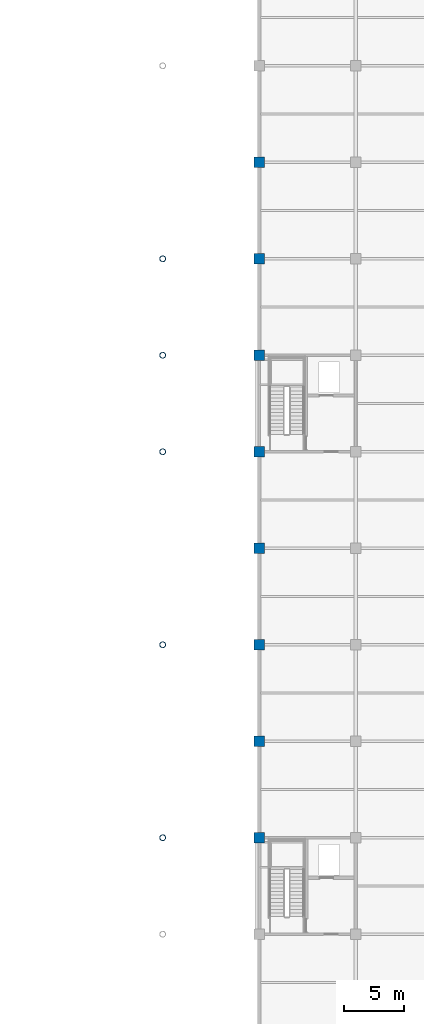
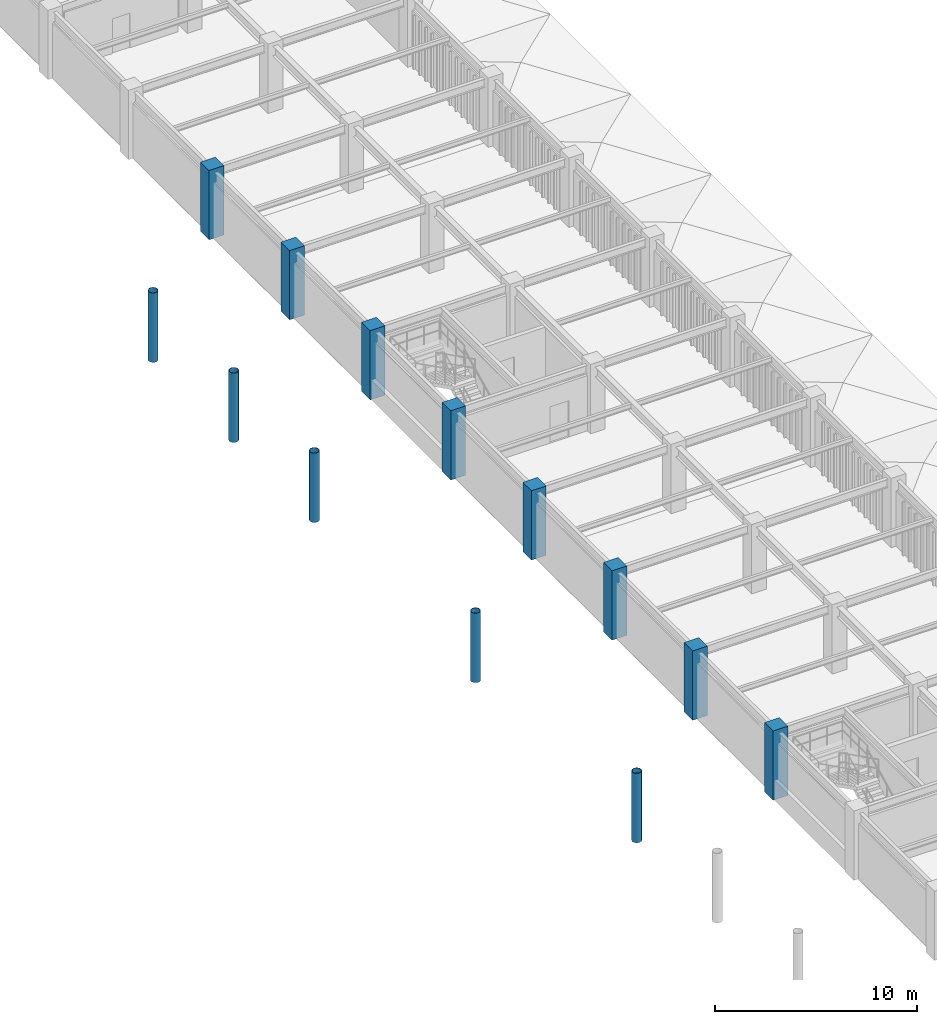
# One storey, part 7 of 78: 13 columns.
"""IFC4 building model written with IfcOpenShell, lengths in metres."""

from ifc_helpers import new_model, si_unit, direction, frame, origin, origin_2d, place, context, subcontext, project, spatial, rectangle, hollow_circle, extrude, material, material_profile, profile_set, type_object, element, save


model = new_model("IFC4")

# Units and contexts
model_context = context("Model", 3, precision=1e-05, world=origin(), true_north=direction((0.0, 1.0)))
body_context = subcontext(model_context, "Body", "Model", "MODEL_VIEW")
ifc_project = project(units=[si_unit("LENGTHUNIT", "METRE"), si_unit("AREAUNIT", "SQUARE_METRE"), si_unit("VOLUMEUNIT", "CUBIC_METRE"), si_unit("PLANEANGLEUNIT", "RADIAN"), si_unit("MASSUNIT", "GRAM", prefix="KILO")], contexts=[model_context])

# Site, building, storey
site_placement = place(None, origin())
site = spatial("IfcSite", under=ifc_project, at=site_placement, CompositionType="ELEMENT")
building_placement = place(site_placement, origin())
building = spatial("IfcBuilding", under=site, at=building_placement, Name="Haebicheon Civic Stadium", CompositionType="ELEMENT")
storey_placement = place(building_placement, frame((0.0, 0.0, 18.60009765625)))
storey = spatial("IfcBuildingStorey", under=building, at=storey_placement, Name="L05", CompositionType="ELEMENT", Elevation=18.60009765625)

# Columns
ifc_material_1 = material(Name="Concrete C40/50", Category="concrete")
ifc_material_profile_1 = material_profile(ifc_material_1, rectangle(XDim=0.85009765625, YDim=0.85009765625, at=origin_2d()), Name="RC-COL-850x850")
ifc_profile_set_1 = profile_set([ifc_material_profile_1], Name="Concrete C40/50")
column_type_1 = type_object("IfcColumnType", Name="COL-RC-850", PredefinedType="COLUMN", material=ifc_profile_set_1)
for number, where, z_axis, x_axis, name in (
    (1, (144.0, 72.0, 0.0), (0.0, 0.0, 1.0), (1.0, 0.0, 0.0), "L05 column 19/K"),
    (2, (144.0, 80.0, 0.0), (0.0, 0.0, 1.0), (1.0, 0.0, 0.0), "L05 column 19/L"),
    (3, (144.0, 88.0, 0.0), (0.0, 0.0, 1.0), (1.0, 0.0, 0.0), "L05 column 19/M"),
    (4, (144.0, 96.0, 0.0), (0.0, 0.0, 1.0), (1.0, 0.0, 0.0), "L05 column 19/N"),
    (5, (144.0, 104.0, 0.0), (0.0, 0.0, 1.0), (1.0, 0.0, 0.0), "L05 column 19/P"),
    (6, (144.0, 112.0, 0.0), (0.0, 0.0, 1.0), (1.0, 0.0, 0.0), "L05 column 19/Q"),
    (7, (144.0, 120.0, 0.0), (0.0, 0.0, 1.0), (1.0, 0.0, 0.0), "L05 column 19/R"),
    (8, (144.0, 128.0, 0.0), (0.0, 0.0, 1.0), (1.0, 0.0, 0.0), "L05 column 19/S"),
):
    element("IfcColumn", number, at=place(storey_placement, frame(where, z_axis=z_axis, x_axis=x_axis)), inside=storey, type_object=column_type_1, material=ifc_profile_set_1, Name=name, PredefinedType="COLUMN", context=body_context, shape_type="SweptSolid", body=[
        extrude(rectangle(XDim=0.85009765625, YDim=0.85009765625, at=origin_2d()), origin(), (0.0, 0.0, 1.0), 4.199951171875),
    ])
ifc_material_2 = material(Name="White painted steel SM490", Category="steel")
ifc_material_profile_2 = material_profile(ifc_material_2, hollow_circle(Radius=0.25390625, WallThickness=0.02490234375, at=origin_2d()), Name="CHS-508.0x25.0")
ifc_profile_set_2 = profile_set([ifc_material_profile_2], Name="White painted steel SM490")
column_type_2 = type_object("IfcColumnType", Name="COL-ST-CHS508", PredefinedType="COLUMN", material=ifc_profile_set_2)
for number, where, z_axis, x_axis, name in (
    (9, (136.0, 72.0, 0.0), (0.0, 0.0, 1.0), (1.0, 0.0, 0.0), "Bowl/canopy support column 136/72 (L05)"),
    (10, (136.0, 88.0, 0.0), (0.0, 0.0, 1.0), (1.0, 0.0, 0.0), "Bowl/canopy support column 136/88 (L05)"),
    (11, (136.0, 104.0, 0.0), (0.0, 0.0, 1.0), (1.0, 0.0, 0.0), "Bowl/canopy support column 136/104 (L05)"),
    (12, (136.0, 112.0, 0.0), (0.0, 0.0, 1.0), (1.0, 0.0, 0.0), "Bowl/canopy support column 136/112 (L05)"),
    (13, (136.0, 120.0, 0.0), (0.0, 0.0, 1.0), (1.0, 0.0, 0.0), "Bowl/canopy support column 136/120 (L05)"),
):
    element("IfcColumn", number, at=place(storey_placement, frame(where, z_axis=z_axis, x_axis=x_axis)), inside=storey, type_object=column_type_2, material=ifc_profile_set_2, Name=name, PredefinedType="COLUMN", context=body_context, shape_type="SweptSolid", body=[
        extrude(hollow_circle(Radius=0.25390625, WallThickness=0.02490234375, at=origin_2d()), origin(), (0.0, 0.0, 1.0), 4.199951171875),
    ])

save(model, "model.ifc")
